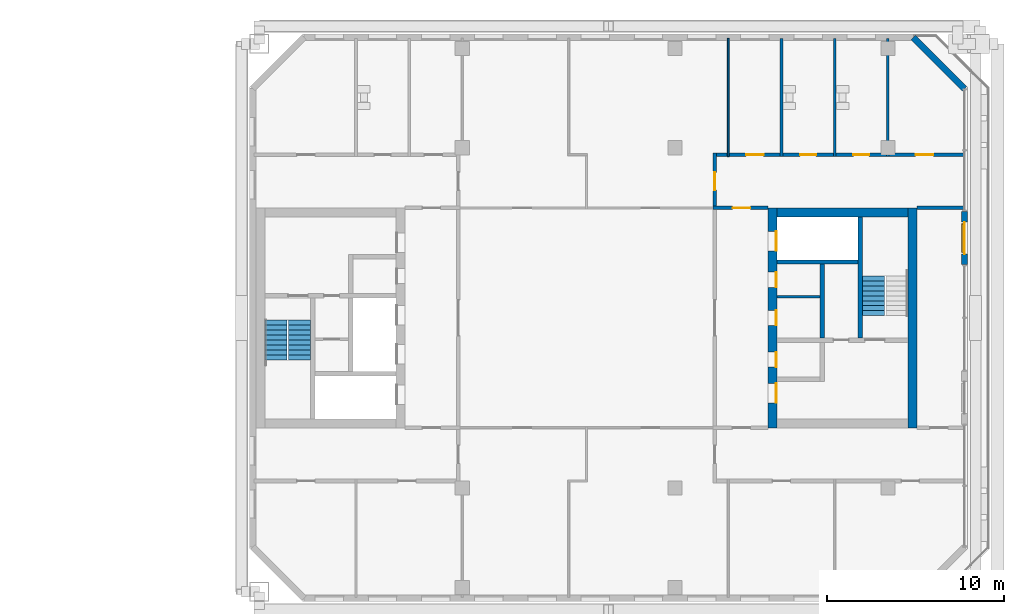
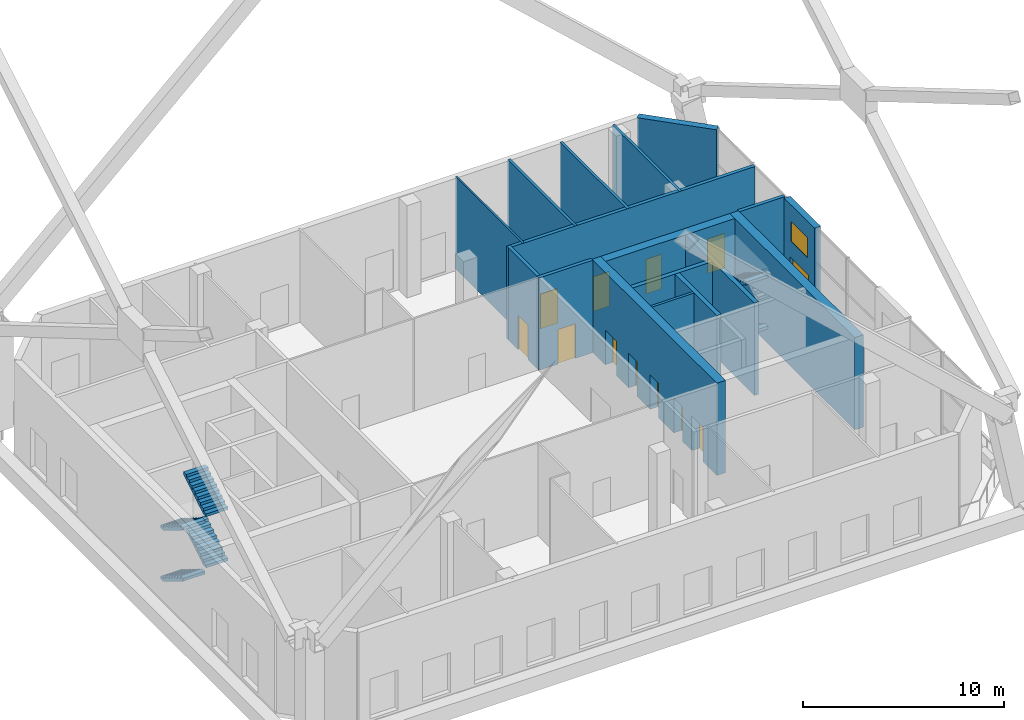
# One storey, part 16 of 20: 17 walls, 12 doors, 6 stair flights, 1 window, 13 openings, 2 elements without a shape of their own.
"""IFC4 building model written with IfcOpenShell, lengths in metres."""

from ifc_helpers import new_model, si_unit, direction, frame, frame_2d, origin, place, context, subcontext, project, spatial, polyline, rectangle, outline, extrude, material, layer, layer_set, type_object, element, fill, aggregate, save


model = new_model("IFC4")

# Units and contexts
model_context = context("Model", 3, precision=1e-05, world=origin(), true_north=direction((0.0, 1.0)))
body_context = subcontext(model_context, "Body", "Model", "MODEL_VIEW")
ifc_project = project(units=[si_unit("LENGTHUNIT", "METRE"), si_unit("AREAUNIT", "SQUARE_METRE"), si_unit("VOLUMEUNIT", "CUBIC_METRE"), si_unit("PLANEANGLEUNIT", "RADIAN"), si_unit("MASSUNIT", "GRAM", prefix="KILO")], contexts=[model_context])

# Site, building, storey
site_placement = place(None, origin())
site = spatial("IfcSite", under=ifc_project, at=site_placement, CompositionType="ELEMENT")
building_placement = place(site_placement, origin())
building = spatial("IfcBuilding", under=site, at=building_placement, Name="Tuart Gate Housing", CompositionType="ELEMENT")
storey_placement = place(building_placement, frame((0.0, 0.0, 142.300048828125)))
storey = spatial("IfcBuildingStorey", under=building, at=storey_placement, Name="L40", CompositionType="ELEMENT", Elevation=142.300048828125)

# Walls
ifc_material_1 = material(Name="Gypsum board on steel studs", Category="steel")
ifc_layer_1 = layer(ifc_material_1, 0.14990234375)
ifc_layer_set_1 = layer_set([ifc_layer_1], Name="Bathroom wall 150")
wall_type_1 = type_object("IfcWallType", Name="Bathroom wall 150", PredefinedType="PLUMBINGWALL", material=ifc_layer_set_1)
for number, where, z_axis, x_axis, name in (
    (1, (161.0, 79.10009765625, 0.0), (0.0, 0.0, 1.0), (0.0, 1.0, 0.0), "Bathroom wall 150"),
    (2, (164.0, 79.10009765625, 0.0), (0.0, 0.0, 1.0), (0.0, 1.0, 0.0), "Bathroom wall 150"),
    (3, (167.0, 79.10009765625, 0.0), (0.0, 0.0, 1.0), (0.0, 1.0, 0.0), "Bathroom wall 150"),
):
    element("IfcWall", number, at=place(storey_placement, frame(where, z_axis=z_axis, x_axis=x_axis)), inside=storey, type_object=wall_type_1, Name=name, PredefinedType="PLUMBINGWALL", context=body_context, shape_type="SweptSolid", body=[
        extrude(rectangle(XDim=6.659912109375, YDim=0.14990234375, at=frame_2d((3.330078125, 0.0))), origin(), (0.0, 0.0, 1.0), 5.599853515625),
    ])

# Wall, openings, door, window
ifc_material_2 = material(Name="Brick", Category="masonry")
ifc_layer_2 = layer(ifc_material_2, 0.360107421875)
ifc_layer_set_2 = layer_set([ifc_layer_2], Name="Brick pier and spandrel wall 360")
wall_type_2 = type_object("IfcWallType", Name="Brick pier and spandrel wall 360", PredefinedType="STANDARD", material=ifc_layer_set_2)
wall_1_placement = place(storey_placement, frame((171.320068359375, 73.0, 0.0), z_axis=(0.0, 0.0, 1.0), x_axis=(0.0, 1.0, 0.0)))
wall_1 = element("IfcWall", 4, at=wall_1_placement, inside=storey, type_object=wall_type_2, Name="External wall B-E L40", PredefinedType="STANDARD", context=body_context, shape_type="SweptSolid", body=[
    extrude(rectangle(XDim=3.0, YDim=0.360107421875, at=frame_2d((1.5, 0.0))), origin(), (0.0, 0.0, 1.0), 5.599853515625),
])
opening_1_placement = place(wall_1_placement, frame((0.699951171875, 0.0, 3.39990234375)))
opening_1 = element("IfcOpeningElement", 5, at=opening_1_placement, cuts=wall_1, Name="Opening W3", PredefinedType="OPENING", context=body_context, shape_type="SweptSolid", body=[
    extrude(rectangle(XDim=1.60009765625, YDim=1.199951171875, at=frame_2d((0.800048828125, 0.60009765625))), frame((0.0, 0.18994140625, 0.0), z_axis=(0.0, -1.0, 0.0), x_axis=(1.0, 0.0, 0.0)), (0.0, 0.0, 1.0), 0.380126953125),
])
opening_2_placement = place(wall_1_placement, frame((0.60009765625, 0.0, 0.0)))
opening_2 = element("IfcOpeningElement", 6, at=opening_2_placement, cuts=wall_1, Name="Opening D2976", PredefinedType="OPENING", context=body_context, shape_type="SweptSolid", body=[
    extrude(rectangle(XDim=1.800048828125, YDim=2.39990234375, at=frame_2d((0.89990234375, 1.199951171875))), frame((0.0, 0.18994140625, 0.0), z_axis=(0.0, -1.0, 0.0), x_axis=(1.0, 0.0, 0.0)), (0.0, 0.0, 1.0), 0.380126953125),
])
ifc_material_3 = material(Name="Aluminium framed glazed door", Category="aluminium")
door_type_1 = type_object("IfcDoorType", Name="Entrance door 1800 x 2400", OperationType="DOUBLE_DOOR_SINGLE_SWING", PredefinedType="DOOR", material=ifc_material_3)
door_1_placement = place(opening_2_placement, frame((1.800048828125, 0.0, 0.0), z_axis=(0.0, 0.0, 1.0), x_axis=(-1.0, 0.0, 0.0)))
door_1 = element("IfcDoor", 7, at=door_1_placement, inside=storey, type_object=door_type_1, Name="Leg B terrace door L40 2", OperationType="DOUBLE_DOOR_SINGLE_SWING", OverallHeight=2.39990234375, OverallWidth=1.800048828125, PredefinedType="DOOR", context=body_context, shape_type="SweptSolid", body=[
    extrude(rectangle(XDim=1.800048828125, YDim=2.39990234375, at=frame_2d((0.900146484375, 1.199951171875))), frame((0.0, 0.025146484375, 0.0), z_axis=(0.0, -1.0, 0.0), x_axis=(1.0, 0.0, 0.0)), (0.0, 0.0, 1.0), 0.050048828125),
])
fill(opening_2, door_1)
ifc_material_4 = material(Name="Aluminium louvre blades", Category="aluminium")
window_type = type_object("IfcWindowType", Name="Louvre window 1600 x 1200", PartitioningType="DOUBLE_PANEL_HORIZONTAL", PredefinedType="WINDOW", material=ifc_material_4)
window_placement = place(opening_1_placement, origin())
window = element("IfcWindow", 8, at=window_placement, inside=storey, type_object=window_type, Name="Louvre W3", OverallHeight=1.199951171875, OverallWidth=1.60009765625, PartitioningType="DOUBLE_PANEL_HORIZONTAL", PredefinedType="WINDOW", context=body_context, shape_type="SweptSolid", body=[
    extrude(rectangle(XDim=1.60009765625, YDim=1.199951171875, at=frame_2d((0.800048828125, 0.60009765625))), frame((0.0, 0.150146484375, 0.0), z_axis=(0.0, -1.0, 0.0), x_axis=(1.0, 0.0, 0.0)), (0.0, 0.0, 1.0), 0.06005859375),
])
fill(opening_1, window)

# Walls
wall_2_placement = place(storey_placement, frame((171.320068359375, 82.92529296875, 0.0), z_axis=(0.0, 0.0, 1.0), x_axis=(-0.707106781187, 0.707106781187, 0.0)))
element("IfcWall", 9, at=wall_2_placement, inside=storey, type_object=wall_type_2, Name="External wall B-NE L40", PredefinedType="STANDARD", context=body_context, shape_type="SweptSolid", body=[
    extrude(rectangle(XDim=4.09375, YDim=0.360107421875, at=frame_2d((2.046875, 0.0))), origin(), (0.0, 0.0, 1.0), 5.599853515625),
])
ifc_material_5 = material(Name="Plasterboard partition")
ifc_layer_3 = layer(ifc_material_5, 0.14990234375)
ifc_layer_set_3 = layer_set([ifc_layer_3], Name="Core partition 150")
wall_type_3 = type_object("IfcWallType", Name="Core partition 150", PredefinedType="PARTITIONING", material=ifc_layer_set_3)
wall_3_placement = place(storey_placement, frame((160.739990234375, 71.199951171875, 0.0), z_axis=(0.0, 0.0, 1.0), x_axis=(1.0, 0.0, 0.0)))
element("IfcWall", 10, at=wall_3_placement, inside=storey, type_object=wall_type_3, Name="Core partition BK.2", PredefinedType="PARTITIONING", context=body_context, shape_type="SweptSolid", body=[
    extrude(rectangle(XDim=2.425048828125, YDim=0.14990234375, at=frame_2d((1.21240234375, 0.0))), origin(), (0.0, 0.0, 1.0), 5.599853515625),
])
ifc_material_6 = material(Name="Concrete C40", Category="concrete")
ifc_layer_4 = layer(ifc_material_6, 0.25)
ifc_layer_set_4 = layer_set([ifc_layer_4], Name="Core wall 250 C40")
wall_type_4 = type_object("IfcWallType", Name="Core wall 250 C40", PredefinedType="SHEAR", material=ifc_layer_set_4)
wall_4_placement = place(storey_placement, frame((160.739990234375, 73.14990234375, 0.0), z_axis=(0.0, 0.0, 1.0), x_axis=(1.0, 0.0, 0.0)))
element("IfcWall", 11, at=wall_4_placement, inside=storey, type_object=wall_type_4, Name="Core wall BK.1", PredefinedType="SHEAR", context=body_context, shape_type="SweptSolid", body=[
    extrude(rectangle(XDim=4.574951171875, YDim=0.25, at=frame_2d((2.28759765625, 0.0))), origin(), (0.0, 0.0, 1.0), 5.599853515625),
])
wall_5_placement = place(storey_placement, frame((163.2900390625, 73.02490234375, 0.0), z_axis=(0.0, 0.0, 1.0), x_axis=(0.0, -1.0, 0.0)))
element("IfcWall", 12, at=wall_5_placement, inside=storey, type_object=wall_type_4, Name="Core wall BK.5", PredefinedType="SHEAR", context=body_context, shape_type="SweptSolid", body=[
    extrude(rectangle(XDim=4.14990234375, YDim=0.25, at=frame_2d((2.074951171875, 0.0))), origin(), (0.0, 0.0, 1.0), 5.599853515625),
])
wall_6_placement = place(storey_placement, frame((165.43994140625, 75.699951171875, 0.0), z_axis=(0.0, 0.0, 1.0), x_axis=(0.0, -1.0, 0.0)))
element("IfcWall", 13, at=wall_6_placement, inside=storey, type_object=wall_type_4, Name="Core wall BK.7", PredefinedType="SHEAR", context=body_context, shape_type="SweptSolid", body=[
    extrude(rectangle(XDim=6.824951171875, YDim=0.25, at=frame_2d((3.41259765625, 0.0))), origin(), (0.0, 0.0, 1.0), 5.599853515625),
])

# Wall, openings, doors
ifc_material_7 = material(Name="Concrete C40", Category="concrete")
ifc_layer_5 = layer(ifc_material_7, 0.5)
ifc_layer_set_5 = layer_set([ifc_layer_5], Name="Core wall 500 C40")
wall_type_5 = type_object("IfcWallType", Name="Core wall 500 C40", PredefinedType="SHEAR", material=ifc_layer_set_5)
wall_7_placement = place(storey_placement, frame((160.489990234375, 76.199951171875, 0.0), z_axis=(0.0, 0.0, 1.0), x_axis=(0.0, -1.0, 0.0)))
wall_7 = element("IfcWall", 14, at=wall_7_placement, inside=storey, type_object=wall_type_5, Name="Core wall BK front", PredefinedType="SHEAR", context=body_context, shape_type="SweptSolid", body=[
    extrude(rectangle(XDim=12.39990234375, YDim=0.5, at=frame_2d((6.199951171875, 0.0))), origin(), (0.0, 0.0, 1.0), 5.599853515625),
])
opening_3_placement = place(wall_7_placement, frame((1.324951171875, 0.0, 0.0)))
opening_3 = element("IfcOpeningElement", 15, at=opening_3_placement, cuts=wall_7, Name="Opening LD-FB2", PredefinedType="OPENING", context=body_context, shape_type="SweptSolid", body=[
    extrude(rectangle(XDim=1.10009765625, YDim=2.10009765625, at=frame_2d((0.550048828125, 1.050048828125))), frame((0.0, 0.260009765625, 0.0), z_axis=(0.0, -1.0, 0.0), x_axis=(1.0, 0.0, 0.0)), (0.0, 0.0, 1.0), 0.52001953125),
])
opening_4_placement = place(wall_7_placement, frame((3.625, 0.0, 0.0)))
opening_4 = element("IfcOpeningElement", 16, at=opening_4_placement, cuts=wall_7, Name="Opening D2984", PredefinedType="OPENING", context=body_context, shape_type="SweptSolid", body=[
    extrude(rectangle(XDim=0.85009765625, YDim=2.10009765625, at=frame_2d((0.425048828125, 1.050048828125))), frame((0.0, 0.260009765625, 0.0), z_axis=(0.0, -1.0, 0.0), x_axis=(1.0, 0.0, 0.0)), (0.0, 0.0, 1.0), 0.52001953125),
])
opening_5_placement = place(wall_7_placement, frame((5.77490234375, 0.0, 0.0)))
opening_5 = element("IfcOpeningElement", 17, at=opening_5_placement, cuts=wall_7, Name="Opening D2985", PredefinedType="OPENING", context=body_context, shape_type="SweptSolid", body=[
    extrude(rectangle(XDim=0.85009765625, YDim=2.10009765625, at=frame_2d((0.425048828125, 1.050048828125))), frame((0.0, 0.260009765625, 0.0), z_axis=(0.0, -1.0, 0.0), x_axis=(1.0, 0.0, 0.0)), (0.0, 0.0, 1.0), 0.52001953125),
])
opening_6_placement = place(wall_7_placement, frame((9.89990234375, 0.0, 0.0)))
opening_6 = element("IfcOpeningElement", 18, at=opening_6_placement, cuts=wall_7, Name="Opening D2983", PredefinedType="OPENING", context=body_context, shape_type="SweptSolid", body=[
    extrude(rectangle(XDim=1.10009765625, YDim=2.10009765625, at=frame_2d((0.550048828125, 1.050048828125))), frame((0.0, 0.260009765625, 0.0), z_axis=(0.0, -1.0, 0.0), x_axis=(1.0, 0.0, 0.0)), (0.0, 0.0, 1.0), 0.52001953125),
])
opening_7_placement = place(wall_7_placement, frame((8.125, 0.0, 0.0)))
opening_7 = element("IfcOpeningElement", 19, at=opening_7_placement, cuts=wall_7, Name="Opening D2986", PredefinedType="OPENING", context=body_context, shape_type="SweptSolid", body=[
    extrude(rectangle(XDim=0.85009765625, YDim=2.10009765625, at=frame_2d((0.425048828125, 1.050048828125))), frame((0.0, 0.260009765625, 0.0), z_axis=(0.0, -1.0, 0.0), x_axis=(1.0, 0.0, 0.0)), (0.0, 0.0, 1.0), 0.52001953125),
])
ifc_material_8 = material(Name="Stainless steel", Category="steel")
door_type_2 = type_object("IfcDoorType", Name="Landing door 1100 x 2100", OperationType="DOUBLE_DOOR_SLIDING", PredefinedType="DOOR", material=ifc_material_8)
door_2_placement = place(opening_3_placement, origin())
door_2 = element("IfcDoor", 20, at=door_2_placement, inside=storey, type_object=door_type_2, Name="Lift landing door FB2", OperationType="DOUBLE_DOOR_SLIDING", OverallHeight=2.10009765625, OverallWidth=1.10009765625, PredefinedType="DOOR", context=body_context, shape_type="SweptSolid", body=[
    extrude(rectangle(XDim=1.10009765625, YDim=2.10009765625, at=frame_2d((0.550048828125, 1.050048828125))), frame((0.0, 0.23486328125, 0.0), z_axis=(0.0, -1.0, 0.0), x_axis=(1.0, 0.0, 0.0)), (0.0, 0.0, 1.0), 0.050048828125),
])
fill(opening_3, door_2)
ifc_material_9 = material(Name="Steel fire door", Category="steel")
door_type_3 = type_object("IfcDoorType", Name="Lobby door 1100 x 2100", OperationType="SINGLE_SWING_LEFT", PredefinedType="DOOR", material=ifc_material_9)
door_3_placement = place(opening_6_placement, origin())
door_3 = element("IfcDoor", 21, at=door_3_placement, inside=storey, type_object=door_type_3, Name="Lobby entry door BK.EN", OperationType="SINGLE_SWING_LEFT", OverallHeight=2.10009765625, OverallWidth=1.10009765625, PredefinedType="DOOR", context=body_context, shape_type="SweptSolid", body=[
    extrude(rectangle(XDim=1.10009765625, YDim=2.10009765625, at=frame_2d((0.550048828125, 1.050048828125))), frame((0.0, 0.23486328125, 0.0), z_axis=(0.0, -1.0, 0.0), x_axis=(1.0, 0.0, 0.0)), (0.0, 0.0, 1.0), 0.050048828125),
])
fill(opening_6, door_3)
ifc_material_10 = material(Name="Steel fire door", Category="steel")
door_type_4 = type_object("IfcDoorType", Name="Service door 850 x 2100", OperationType="SINGLE_SWING_LEFT", PredefinedType="DOOR", material=ifc_material_10)
door_4_placement = place(opening_4_placement, origin())
door_4 = element("IfcDoor", 22, at=door_4_placement, inside=storey, type_object=door_type_4, Name="Service room door BK.FR1", OperationType="SINGLE_SWING_LEFT", OverallHeight=2.10009765625, OverallWidth=0.85009765625, PredefinedType="DOOR", context=body_context, shape_type="SweptSolid", body=[
    extrude(rectangle(XDim=0.85009765625, YDim=2.10009765625, at=frame_2d((0.425048828125, 1.050048828125))), frame((0.0, 0.23486328125, 0.0), z_axis=(0.0, -1.0, 0.0), x_axis=(1.0, 0.0, 0.0)), (0.0, 0.0, 1.0), 0.050048828125),
])
fill(opening_4, door_4)
door_5_placement = place(opening_5_placement, origin())
door_5 = element("IfcDoor", 23, at=door_5_placement, inside=storey, type_object=door_type_4, Name="Service room door BK.FR2", OperationType="SINGLE_SWING_LEFT", OverallHeight=2.10009765625, OverallWidth=0.85009765625, PredefinedType="DOOR", context=body_context, shape_type="SweptSolid", body=[
    extrude(rectangle(XDim=0.85009765625, YDim=2.10009765625, at=frame_2d((0.425048828125, 1.050048828125))), frame((0.0, 0.23486328125, 0.0), z_axis=(0.0, -1.0, 0.0), x_axis=(1.0, 0.0, 0.0)), (0.0, 0.0, 1.0), 0.050048828125),
])
fill(opening_5, door_5)
door_6_placement = place(opening_7_placement, origin())
door_6 = element("IfcDoor", 24, at=door_6_placement, inside=storey, type_object=door_type_4, Name="Service room door BK.T1", OperationType="SINGLE_SWING_LEFT", OverallHeight=2.10009765625, OverallWidth=0.85009765625, PredefinedType="DOOR", context=body_context, shape_type="SweptSolid", body=[
    extrude(rectangle(XDim=0.85009765625, YDim=2.10009765625, at=frame_2d((0.425048828125, 1.050048828125))), frame((0.0, 0.23486328125, 0.0), z_axis=(0.0, -1.0, 0.0), x_axis=(1.0, 0.0, 0.0)), (0.0, 0.0, 1.0), 0.050048828125),
])
fill(opening_7, door_6)

# Walls
wall_8_placement = place(storey_placement, frame((168.389892578125, 76.199951171875, 0.0), z_axis=(0.0, 0.0, 1.0), x_axis=(0.0, -1.0, 0.0)))
element("IfcWall", 25, at=wall_8_placement, inside=storey, type_object=wall_type_5, Name="Core wall BK back", PredefinedType="SHEAR", context=body_context, shape_type="SweptSolid", body=[
    extrude(rectangle(XDim=12.39990234375, YDim=0.5, at=frame_2d((6.199951171875, 0.0))), origin(), (0.0, 0.0, 1.0), 5.599853515625),
])
wall_9_placement = place(storey_placement, frame((160.739990234375, 75.949951171875, 0.0), z_axis=(0.0, 0.0, 1.0), x_axis=(1.0, 0.0, 0.0)))
element("IfcWall", 26, at=wall_9_placement, inside=storey, type_object=wall_type_5, Name="Core wall BK south", PredefinedType="SHEAR", context=body_context, shape_type="SweptSolid", body=[
    extrude(rectangle(XDim=7.39990234375, YDim=0.5, at=frame_2d((3.699951171875, 0.0))), origin(), (0.0, 0.0, 1.0), 5.599853515625),
])
ifc_material_11 = material(Name="Concrete masonry 15 MPa", Category="masonry")
ifc_layer_6 = layer(ifc_material_11, 0.199951171875)
ifc_layer_set_6 = layer_set([ifc_layer_6], Name="Corridor wall masonry 200")
wall_type_6 = type_object("IfcWallType", Name="Corridor wall masonry 200", PredefinedType="PARTITIONING", material=ifc_layer_set_6)
wall_10_placement = place(storey_placement, frame((168.639892578125, 76.199951171875, 0.0), z_axis=(0.0, 0.0, 1.0), x_axis=(1.0, 0.0, 0.0)))
element("IfcWall", 27, at=wall_10_placement, inside=storey, type_object=wall_type_6, Name="Corridor wall masonry 200", PredefinedType="PARTITIONING", context=body_context, shape_type="SweptSolid", body=[
    extrude(rectangle(XDim=2.6201171875, YDim=0.199951171875, at=frame_2d((1.31005859375, 0.0))), origin(), (0.0, 0.0, 1.0), 5.599853515625),
])

# Wall, openings, doors
wall_11_placement = place(storey_placement, frame((157.139892578125, 79.199951171875, 0.0), z_axis=(0.0, 0.0, 1.0), x_axis=(1.0, 0.0, 0.0)))
wall_11 = element("IfcWall", 28, at=wall_11_placement, inside=storey, type_object=wall_type_6, Name="Corridor wall masonry 200", PredefinedType="PARTITIONING", context=body_context, shape_type="SweptSolid", body=[
    extrude(rectangle(XDim=14.1201171875, YDim=0.199951171875, at=frame_2d((7.06005859375, 0.0))), origin(), (0.0, 0.0, 1.0), 5.599853515625),
])
opening_8_placement = place(wall_11_placement, frame((1.860107421875, 0.0, 0.0)))
opening_8 = element("IfcOpeningElement", 29, at=opening_8_placement, cuts=wall_11, Name="Opening D2966", PredefinedType="OPENING", context=body_context, shape_type="SweptSolid", body=[
    extrude(rectangle(XDim=1.0, YDim=2.10009765625, at=frame_2d((0.5, 1.050048828125))), frame((0.0, 0.10986328125, 0.0), z_axis=(0.0, -1.0, 0.0), x_axis=(1.0, 0.0, 0.0)), (0.0, 0.0, 1.0), 0.219970703125),
])
opening_9_placement = place(wall_11_placement, frame((4.909912109375, 0.0, 0.0)))
opening_9 = element("IfcOpeningElement", 30, at=opening_9_placement, cuts=wall_11, Name="Opening D2968", PredefinedType="OPENING", context=body_context, shape_type="SweptSolid", body=[
    extrude(rectangle(XDim=0.89990234375, YDim=2.10009765625, at=frame_2d((0.449951171875, 1.050048828125))), frame((0.0, 0.10986328125, 0.0), z_axis=(0.0, -1.0, 0.0), x_axis=(1.0, 0.0, 0.0)), (0.0, 0.0, 1.0), 0.219970703125),
])
opening_10_placement = place(wall_11_placement, frame((7.909912109375, 0.0, 0.0)))
opening_10 = element("IfcOpeningElement", 31, at=opening_10_placement, cuts=wall_11, Name="Opening D2969", PredefinedType="OPENING", context=body_context, shape_type="SweptSolid", body=[
    extrude(rectangle(XDim=0.89990234375, YDim=2.10009765625, at=frame_2d((0.449951171875, 1.050048828125))), frame((0.0, 0.10986328125, 0.0), z_axis=(0.0, -1.0, 0.0), x_axis=(1.0, 0.0, 0.0)), (0.0, 0.0, 1.0), 0.219970703125),
])
opening_11_placement = place(wall_11_placement, frame((11.429931640625, 0.0, 0.0)))
opening_11 = element("IfcOpeningElement", 32, at=opening_11_placement, cuts=wall_11, Name="Opening D2967", PredefinedType="OPENING", context=body_context, shape_type="SweptSolid", body=[
    extrude(rectangle(XDim=1.0, YDim=2.10009765625, at=frame_2d((0.5, 1.050048828125))), frame((0.0, 0.10986328125, 0.0), z_axis=(0.0, -1.0, 0.0), x_axis=(1.0, 0.0, 0.0)), (0.0, 0.0, 1.0), 0.219970703125),
])
ifc_material_12 = material(Name="Timber door leaf in steel frame", Category="steel")
door_type_5 = type_object("IfcDoorType", Name="Fire door 1000", OperationType="SINGLE_SWING_LEFT", PredefinedType="DOOR", material=ifc_material_12)
door_7_placement = place(opening_8_placement, origin())
door_7 = element("IfcDoor", 33, at=door_7_placement, inside=storey, type_object=door_type_5, Name="Fire door 1000", OperationType="SINGLE_SWING_LEFT", OverallHeight=2.10009765625, OverallWidth=1.0, PredefinedType="DOOR", context=body_context, shape_type="SweptSolid", body=[
    extrude(rectangle(XDim=1.0, YDim=2.10009765625, at=frame_2d((0.5, 1.050048828125))), frame((0.0, 0.02490234375, 0.0), z_axis=(0.0, -1.0, 0.0), x_axis=(1.0, 0.0, 0.0)), (0.0, 0.0, 1.0), 0.050048828125),
])
fill(opening_8, door_7)
door_8_placement = place(opening_11_placement, origin())
door_8 = element("IfcDoor", 34, at=door_8_placement, inside=storey, type_object=door_type_5, Name="Fire door 1000", OperationType="SINGLE_SWING_LEFT", OverallHeight=2.10009765625, OverallWidth=1.0, PredefinedType="DOOR", context=body_context, shape_type="SweptSolid", body=[
    extrude(rectangle(XDim=1.0, YDim=2.10009765625, at=frame_2d((0.5, 1.050048828125))), frame((0.0, 0.02490234375, 0.0), z_axis=(0.0, -1.0, 0.0), x_axis=(1.0, 0.0, 0.0)), (0.0, 0.0, 1.0), 0.050048828125),
])
fill(opening_11, door_8)
ifc_material_13 = material(Name="Timber door leaf in steel frame", Category="steel")
door_type_6 = type_object("IfcDoorType", Name="Fire door 900", OperationType="SINGLE_SWING_LEFT", PredefinedType="DOOR", material=ifc_material_13)
door_9_placement = place(opening_9_placement, origin())
door_9 = element("IfcDoor", 35, at=door_9_placement, inside=storey, type_object=door_type_6, Name="Fire door 900", OperationType="SINGLE_SWING_LEFT", OverallHeight=2.10009765625, OverallWidth=0.89990234375, PredefinedType="DOOR", context=body_context, shape_type="SweptSolid", body=[
    extrude(rectangle(XDim=0.89990234375, YDim=2.10009765625, at=frame_2d((0.449951171875, 1.050048828125))), frame((0.0, 0.02490234375, 0.0), z_axis=(0.0, -1.0, 0.0), x_axis=(1.0, 0.0, 0.0)), (0.0, 0.0, 1.0), 0.050048828125),
])
fill(opening_9, door_9)
door_10_placement = place(opening_10_placement, origin())
door_10 = element("IfcDoor", 36, at=door_10_placement, inside=storey, type_object=door_type_6, Name="Fire door 900", OperationType="SINGLE_SWING_LEFT", OverallHeight=2.10009765625, OverallWidth=0.89990234375, PredefinedType="DOOR", context=body_context, shape_type="SweptSolid", body=[
    extrude(rectangle(XDim=0.89990234375, YDim=2.10009765625, at=frame_2d((0.449951171875, 1.050048828125))), frame((0.0, 0.02490234375, 0.0), z_axis=(0.0, -1.0, 0.0), x_axis=(1.0, 0.0, 0.0)), (0.0, 0.0, 1.0), 0.050048828125),
])
fill(opening_10, door_10)

# Wall, opening, door
wall_12_placement = place(storey_placement, frame((157.239990234375, 76.10009765625, 0.0), z_axis=(0.0, 0.0, 1.0), x_axis=(0.0, 1.0, 0.0)))
wall_12 = element("IfcWall", 37, at=wall_12_placement, inside=storey, type_object=wall_type_6, Name="Corridor wall masonry 200", PredefinedType="PARTITIONING", context=body_context, shape_type="SweptSolid", body=[
    extrude(rectangle(XDim=3.199951171875, YDim=0.199951171875, at=frame_2d((1.60009765625, 0.0))), origin(), (0.0, 0.0, 1.0), 5.599853515625),
])
opening_12_placement = place(wall_12_placement, frame((1.10009765625, 0.0, 0.0)))
opening_12 = element("IfcOpeningElement", 38, at=opening_12_placement, cuts=wall_12, Name="Opening D2971", PredefinedType="OPENING", context=body_context, shape_type="SweptSolid", body=[
    extrude(rectangle(XDim=1.0, YDim=2.10009765625, at=frame_2d((0.5, 1.050048828125))), frame((0.0, 0.10986328125, 0.0), z_axis=(0.0, -1.0, 0.0), x_axis=(1.0, 0.0, 0.0)), (0.0, 0.0, 1.0), 0.219970703125),
])
door_11_placement = place(opening_12_placement, origin())
door_11 = element("IfcDoor", 39, at=door_11_placement, inside=storey, type_object=door_type_5, Name="Fire door 1000", OperationType="SINGLE_SWING_LEFT", OverallHeight=2.10009765625, OverallWidth=1.0, PredefinedType="DOOR", context=body_context, shape_type="SweptSolid", body=[
    extrude(rectangle(XDim=1.0, YDim=2.10009765625, at=frame_2d((0.5, 1.050048828125))), frame((0.0, 0.02490234375, 0.0), z_axis=(0.0, -1.0, 0.0), x_axis=(1.0, 0.0, 0.0)), (0.0, 0.0, 1.0), 0.050048828125),
])
fill(opening_12, door_11)

ifc_material_14 = material(Name="Concrete masonry 15 MPa", Category="masonry")
ifc_layer_7 = layer(ifc_material_14, 0.199951171875)
ifc_layer_set_7 = layer_set([ifc_layer_7], Name="Enclosure wall masonry 200")
wall_type_7 = type_object("IfcWallType", Name="Enclosure wall masonry 200", PredefinedType="PARTITIONING", material=ifc_layer_set_7)
wall_13_placement = place(storey_placement, frame((157.139892578125, 76.199951171875, 0.0), z_axis=(0.0, 0.0, 1.0), x_axis=(1.0, 0.0, 0.0)))
wall_13 = element("IfcWall", 40, at=wall_13_placement, inside=storey, type_object=wall_type_7, Name="Enclosure wall masonry 200", PredefinedType="PARTITIONING", context=body_context, shape_type="SweptSolid", body=[
    extrude(rectangle(XDim=3.10009765625, YDim=0.199951171875, at=frame_2d((1.550048828125, 0.0))), origin(), (0.0, 0.0, 1.0), 5.599853515625),
])
opening_13_placement = place(wall_13_placement, frame((1.10009765625, 0.0, 0.0)))
opening_13 = element("IfcOpeningElement", 41, at=opening_13_placement, cuts=wall_13, Name="Opening D2975", PredefinedType="OPENING", context=body_context, shape_type="SweptSolid", body=[
    extrude(rectangle(XDim=1.0, YDim=2.10009765625, at=frame_2d((0.5, 1.050048828125))), frame((0.0, 0.10986328125, 0.0), z_axis=(0.0, -1.0, 0.0), x_axis=(1.0, 0.0, 0.0)), (0.0, 0.0, 1.0), 0.219970703125),
])
ifc_material_15 = material(Name="Timber door leaf in steel frame", Category="steel")
door_type_7 = type_object("IfcDoorType", Name="Lobby door 1000", OperationType="SINGLE_SWING_LEFT", PredefinedType="DOOR", material=ifc_material_15)
door_12_placement = place(opening_13_placement, origin())
door_12 = element("IfcDoor", 42, at=door_12_placement, inside=storey, type_object=door_type_7, Name="Lobby door 1000", OperationType="SINGLE_SWING_LEFT", OverallHeight=2.10009765625, OverallWidth=1.0, PredefinedType="DOOR", context=body_context, shape_type="SweptSolid", body=[
    extrude(rectangle(XDim=1.0, YDim=2.10009765625, at=frame_2d((0.5, 1.050048828125))), frame((0.0, 0.02490234375, 0.0), z_axis=(0.0, -1.0, 0.0), x_axis=(1.0, 0.0, 0.0)), (0.0, 0.0, 1.0), 0.050048828125),
])
fill(opening_13, door_12)

# Wall
ifc_material_16 = material(Name="Gypsum board on steel studs", Category="steel")
ifc_layer_8 = layer(ifc_material_16, 0.10009765625)
ifc_layer_set_8 = layer_set([ifc_layer_8], Name="Partition 100")
wall_type_8 = type_object("IfcWallType", Name="Partition 100", PredefinedType="PARTITIONING", material=ifc_layer_set_8)
wall_14_placement = place(storey_placement, frame((158.0, 79.10009765625, 0.0), z_axis=(0.0, 0.0, 1.0), x_axis=(0.0, 1.0, 0.0)))
element("IfcWall", 43, at=wall_14_placement, inside=storey, type_object=wall_type_8, Name="Partition 100", PredefinedType="PARTITIONING", context=body_context, shape_type="SweptSolid", body=[
    extrude(rectangle(XDim=6.659912109375, YDim=0.10009765625, at=frame_2d((3.330078125, 0.0))), origin(), (0.0, 0.0, 1.0), 5.599853515625),
])

# Stair, stair flights
ifc_material_17 = material(Name="Concrete C40", Category="concrete")
stair_type = type_object("IfcStairType", Name="Core stair 1250", PredefinedType="HALF_TURN_STAIR", material=ifc_material_17)
stair_1_placement = place(storey_placement, origin())
stair_1 = element("IfcStair", 44, at=stair_1_placement, inside=storey, type_object=stair_type, Name="Stair SB1", PredefinedType="HALF_TURN_STAIR")
ifc_material_18 = material(Name="Concrete C40", Category="concrete")
stair_flight_type = type_object("IfcStairFlightType", Name="Stair flight 1250, 9 risers 172 x 280", PredefinedType="STRAIGHT", material=ifc_material_18)
stair_flight_1_placement = place(storey_placement, frame((132.485107421875, 69.875, 0.0), z_axis=(0.0, 0.0, 1.0), x_axis=(0.0, -1.0, 0.0)))
stair_flight_1 = element("IfcStairFlight", 45, at=stair_flight_1_placement, type_object=stair_flight_type, Name="SB1 flight 1", NumberOfRisers=9, NumberOfTreads=8, PredefinedType="STRAIGHT", RiserHeight=0.172222222, TreadLength=0.28, context=body_context, shape_type="SweptSolid", body=[
    extrude(outline(polyline([(0.0, 0.0), (0.0, 0.172119140625), (0.280029296875, 0.172119140625), (0.280029296875, 0.344482421875), (0.56005859375, 0.344482421875), (0.56005859375, 0.5166015625), (0.840087890625, 0.5166015625), (0.840087890625, 0.68896484375), (1.1201171875, 0.68896484375), (1.1201171875, 0.861083984375), (1.39990234375, 0.861083984375), (1.39990234375, 1.033447265625), (1.679931640625, 1.033447265625), (1.679931640625, 1.20556640625), (1.9599609375, 1.20556640625), (1.9599609375, 1.377685546875), (2.239990234375, 1.377685546875), (2.239990234375, 1.550048828125), (2.239990234375, 1.201904296875), (0.2861328125, 0.0), (0.0, 0.0)])), frame((0.0, 0.625, 0.0), z_axis=(0.0, -1.0, 0.0), x_axis=(1.0, 0.0, 0.0)), (0.0, 0.0, 1.0), 1.25),
])
stair_flight_2_placement = place(storey_placement, frame((133.81005859375, 67.635009765625, 1.550048828125), z_axis=(0.0, 0.0, 1.0), x_axis=(0.0, 1.0, 0.0)))
stair_flight_2 = element("IfcStairFlight", 46, at=stair_flight_2_placement, type_object=stair_flight_type, Name="SB1 flight 2", NumberOfRisers=9, NumberOfTreads=8, PredefinedType="STRAIGHT", RiserHeight=0.172222222, TreadLength=0.28, context=body_context, shape_type="SweptSolid", body=[
    extrude(outline(polyline([(0.0, 0.0), (0.0, 0.172119140625), (0.280029296875, 0.172119140625), (0.280029296875, 0.344482421875), (0.56005859375, 0.344482421875), (0.56005859375, 0.5166015625), (0.840087890625, 0.5166015625), (0.840087890625, 0.68896484375), (1.1201171875, 0.68896484375), (1.1201171875, 0.861083984375), (1.39990234375, 0.861083984375), (1.39990234375, 1.033447265625), (1.679931640625, 1.033447265625), (1.679931640625, 1.20556640625), (1.9599609375, 1.20556640625), (1.9599609375, 1.377685546875), (2.239990234375, 1.377685546875), (2.239990234375, 1.550048828125), (2.239990234375, 1.201904296875), (0.2861328125, 0.0), (0.0, 0.0)])), frame((0.0, 0.625, 0.0), z_axis=(0.0, -1.0, 0.0), x_axis=(1.0, 0.0, 0.0)), (0.0, 0.0, 1.0), 1.25),
])
stair_flight_3_placement = place(storey_placement, frame((132.485107421875, 69.875, 3.099853515625), z_axis=(0.0, 0.0, 1.0), x_axis=(0.0, -1.0, 0.0)))
stair_flight_3 = element("IfcStairFlight", 47, at=stair_flight_3_placement, type_object=stair_flight_type, Name="SB1 flight 3", NumberOfRisers=9, NumberOfTreads=8, PredefinedType="STRAIGHT", RiserHeight=0.172222222, TreadLength=0.28, context=body_context, shape_type="SweptSolid", body=[
    extrude(outline(polyline([(0.0, 0.0), (0.0, 0.172119140625), (0.280029296875, 0.172119140625), (0.280029296875, 0.344482421875), (0.56005859375, 0.344482421875), (0.56005859375, 0.5166015625), (0.840087890625, 0.5166015625), (0.840087890625, 0.68896484375), (1.1201171875, 0.68896484375), (1.1201171875, 0.861083984375), (1.39990234375, 0.861083984375), (1.39990234375, 1.033447265625), (1.679931640625, 1.033447265625), (1.679931640625, 1.20556640625), (1.9599609375, 1.20556640625), (1.9599609375, 1.377685546875), (2.239990234375, 1.377685546875), (2.239990234375, 1.550048828125), (2.239990234375, 1.201904296875), (0.2861328125, 0.0), (0.0, 0.0)])), frame((0.0, 0.625, 0.0), z_axis=(0.0, -1.0, 0.0), x_axis=(1.0, 0.0, 0.0)), (0.0, 0.0, 1.0), 1.25),
])
stair_flight_4_placement = place(storey_placement, frame((133.81005859375, 67.635009765625, 4.64990234375), z_axis=(0.0, 0.0, 1.0), x_axis=(0.0, 1.0, 0.0)))
stair_flight_4 = element("IfcStairFlight", 48, at=stair_flight_4_placement, type_object=stair_flight_type, Name="SB1 flight 4", NumberOfRisers=9, NumberOfTreads=8, PredefinedType="STRAIGHT", RiserHeight=0.172222222, TreadLength=0.28, context=body_context, shape_type="SweptSolid", body=[
    extrude(outline(polyline([(0.0, 0.0), (0.0, 0.172119140625), (0.280029296875, 0.172119140625), (0.280029296875, 0.344482421875), (0.56005859375, 0.344482421875), (0.56005859375, 0.5166015625), (0.840087890625, 0.5166015625), (0.840087890625, 0.68896484375), (1.1201171875, 0.68896484375), (1.1201171875, 0.861083984375), (1.39990234375, 0.861083984375), (1.39990234375, 1.033447265625), (1.679931640625, 1.033447265625), (1.679931640625, 1.20556640625), (1.9599609375, 1.20556640625), (1.9599609375, 1.377685546875), (2.239990234375, 1.377685546875), (2.239990234375, 1.550048828125), (2.239990234375, 1.201904296875), (0.2861328125, 0.0), (0.0, 0.0)])), frame((0.0, 0.625, 0.0), z_axis=(0.0, -1.0, 0.0), x_axis=(1.0, 0.0, 0.0)), (0.0, 0.0, 1.0), 1.25),
])
aggregate(stair_1, [stair_flight_1, stair_flight_2, stair_flight_3, stair_flight_4])

stair_2_placement = place(storey_placement, origin())
stair_2 = element("IfcStair", 49, at=stair_2_placement, inside=storey, type_object=stair_type, Name="Stair SB2", PredefinedType="HALF_TURN_STAIR")
stair_flight_5_placement = place(storey_placement, frame((166.18994140625, 72.364990234375, 1.550048828125), z_axis=(0.0, 0.0, 1.0), x_axis=(0.0, -1.0, 0.0)))
stair_flight_5 = element("IfcStairFlight", 50, at=stair_flight_5_placement, type_object=stair_flight_type, Name="SB2 flight 2", NumberOfRisers=9, NumberOfTreads=8, PredefinedType="STRAIGHT", RiserHeight=0.172222222, TreadLength=0.28, context=body_context, shape_type="SweptSolid", body=[
    extrude(outline(polyline([(0.0, 0.0), (0.0, 0.172119140625), (0.280029296875, 0.172119140625), (0.280029296875, 0.344482421875), (0.56005859375, 0.344482421875), (0.56005859375, 0.5166015625), (0.840087890625, 0.5166015625), (0.840087890625, 0.68896484375), (1.1201171875, 0.68896484375), (1.1201171875, 0.861083984375), (1.39990234375, 0.861083984375), (1.39990234375, 1.033447265625), (1.679931640625, 1.033447265625), (1.679931640625, 1.20556640625), (1.9599609375, 1.20556640625), (1.9599609375, 1.377685546875), (2.239990234375, 1.377685546875), (2.239990234375, 1.550048828125), (2.239990234375, 1.201904296875), (0.2861328125, 0.0), (0.0, 0.0)])), frame((0.0, 0.625, 0.0), z_axis=(0.0, -1.0, 0.0), x_axis=(1.0, 0.0, 0.0)), (0.0, 0.0, 1.0), 1.25),
])
stair_flight_6_placement = place(storey_placement, frame((166.18994140625, 72.364990234375, 4.64990234375), z_axis=(0.0, 0.0, 1.0), x_axis=(0.0, -1.0, 0.0)))
stair_flight_6 = element("IfcStairFlight", 51, at=stair_flight_6_placement, type_object=stair_flight_type, Name="SB2 flight 4", NumberOfRisers=9, NumberOfTreads=8, PredefinedType="STRAIGHT", RiserHeight=0.172222222, TreadLength=0.28, context=body_context, shape_type="SweptSolid", body=[
    extrude(outline(polyline([(0.0, 0.0), (0.0, 0.172119140625), (0.280029296875, 0.172119140625), (0.280029296875, 0.344482421875), (0.56005859375, 0.344482421875), (0.56005859375, 0.5166015625), (0.840087890625, 0.5166015625), (0.840087890625, 0.68896484375), (1.1201171875, 0.68896484375), (1.1201171875, 0.861083984375), (1.39990234375, 0.861083984375), (1.39990234375, 1.033447265625), (1.679931640625, 1.033447265625), (1.679931640625, 1.20556640625), (1.9599609375, 1.20556640625), (1.9599609375, 1.377685546875), (2.239990234375, 1.377685546875), (2.239990234375, 1.550048828125), (2.239990234375, 1.201904296875), (0.2861328125, 0.0), (0.0, 0.0)])), frame((0.0, 0.625, 0.0), z_axis=(0.0, -1.0, 0.0), x_axis=(1.0, 0.0, 0.0)), (0.0, 0.0, 1.0), 1.25),
])
aggregate(stair_2, [stair_flight_5, stair_flight_6])

save(model, "model.ifc")
